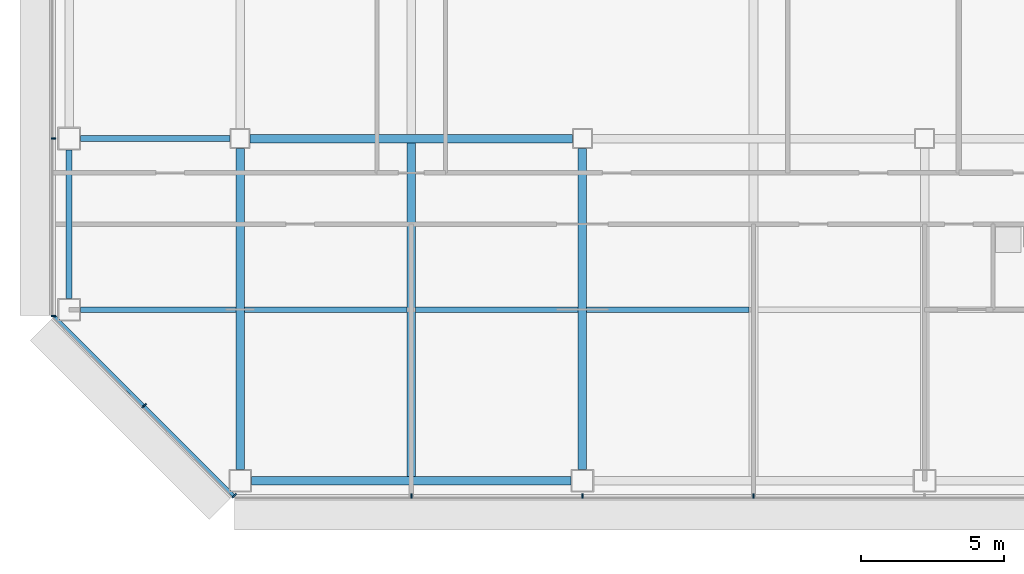
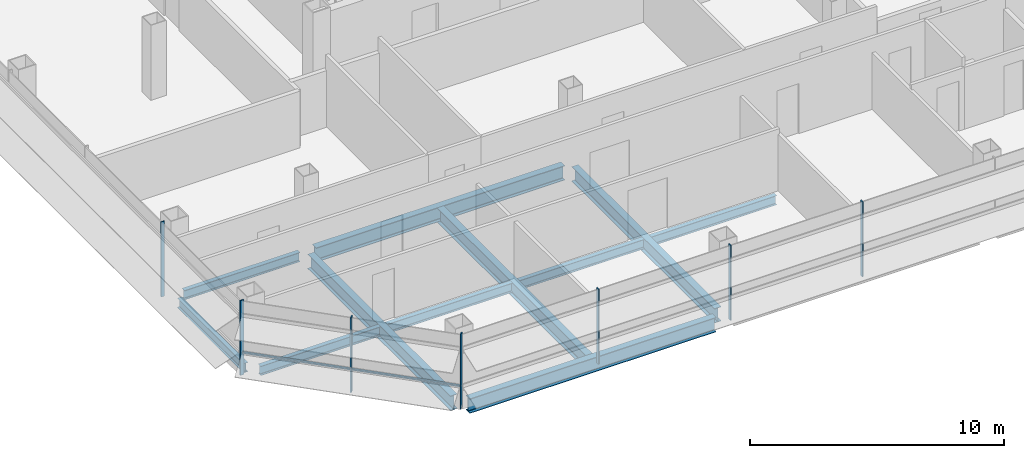
# One storey, part 2 of 25: 11 beams, 8 members, 3 elements without a shape of their own.
"""IFC4 building model written with IfcOpenShell, lengths in metres."""

from ifc_helpers import new_model, si_unit, direction, frame, origin, origin_2d, place, context, subcontext, project, spatial, rectangle, i_section, extrude, material, material_profile, profile_set, type_object, element, aggregate, save


model = new_model("IFC4")

# Units and contexts
model_context = context("Model", 3, precision=1e-05, world=origin(), true_north=direction((0.0, 1.0)))
body_context = subcontext(model_context, "Body", "Model", "MODEL_VIEW")
ifc_project = project(units=[si_unit("LENGTHUNIT", "METRE"), si_unit("AREAUNIT", "SQUARE_METRE"), si_unit("VOLUMEUNIT", "CUBIC_METRE"), si_unit("PLANEANGLEUNIT", "RADIAN"), si_unit("MASSUNIT", "GRAM", prefix="KILO")], contexts=[model_context])

# Site, building, storey
site_placement = place(None, origin())
site = spatial("IfcSite", under=ifc_project, at=site_placement, CompositionType="ELEMENT")
building_placement = place(site_placement, origin())
building = spatial("IfcBuilding", under=site, at=building_placement, Name="Sorahane Residences", CompositionType="ELEMENT")
storey_placement = place(building_placement, frame((0.0, 0.0, 130.39990234375)))
storey = spatial("IfcBuildingStorey", under=building, at=storey_placement, Name="L29", CompositionType="ELEMENT", Elevation=130.39990234375)

# Curtain wall, members
ifc_material_1 = material(Name="Dark low-e glass and black anodised aluminium", Category="aluminium")
curtain_wall_type_1 = type_object("IfcCurtainWallType", Name="Curtain wall CW-1 Typical unitised wall", PredefinedType="NOTDEFINED", material=ifc_material_1)
curtain_wall_1_placement = place(storey_placement, origin())
curtain_wall_1 = element("IfcCurtainWall", 1, at=curtain_wall_1_placement, inside=storey, type_object=curtain_wall_type_1, Name="CW-1 curtain wall L29 S1", PredefinedType="NOTDEFINED")
ifc_material_2 = material(Name="Black anodised aluminium", Category="aluminium")
ifc_material_profile_1 = material_profile(ifc_material_2, rectangle(XDim=0.159912109375, YDim=0.050048828125, at=origin_2d()), Name="Curtain wall mullion CW-1 black anodised aluminium 50x160")
ifc_profile_set_1 = profile_set([ifc_material_profile_1], Name="Black anodised aluminium")
member_type_1 = type_object("IfcMemberType", Name="Curtain wall mullion CW-1 black anodised aluminium 50x160", PredefinedType="MULLION", material=ifc_profile_set_1)
member_1_placement = place(storey_placement, frame((6.0, -0.5400390625, -0.179931640625), z_axis=(0.0, 0.0, 1.0), x_axis=(0.0, -1.0, 0.0)))
member_1 = element("IfcMember", 2, at=member_1_placement, type_object=member_type_1, Name="CW-1 mullion L29 S1.2", PredefinedType="MULLION", context=body_context, shape_type="SweptSolid", body=[
    extrude(rectangle(XDim=0.159912109375, YDim=0.050048828125, at=origin_2d()), origin(), (0.0, 0.0, 1.0), 3.60009765625),
])
member_2_placement = place(storey_placement, frame((12.0, -0.5400390625, -0.179931640625), z_axis=(0.0, 0.0, 1.0), x_axis=(0.0, -1.0, 0.0)))
member_2 = element("IfcMember", 3, at=member_2_placement, type_object=member_type_1, Name="CW-1 mullion L29 S1.3", PredefinedType="MULLION", context=body_context, shape_type="SweptSolid", body=[
    extrude(rectangle(XDim=0.159912109375, YDim=0.050048828125, at=origin_2d()), origin(), (0.0, 0.0, 1.0), 3.60009765625),
])
member_3_placement = place(storey_placement, frame((18.0, -0.5400390625, -0.179931640625), z_axis=(0.0, 0.0, 1.0), x_axis=(0.0, -1.0, 0.0)))
member_3 = element("IfcMember", 4, at=member_3_placement, type_object=member_type_1, Name="CW-1 mullion L29 S1.4", PredefinedType="MULLION", context=body_context, shape_type="SweptSolid", body=[
    extrude(rectangle(XDim=0.159912109375, YDim=0.050048828125, at=origin_2d()), origin(), (0.0, 0.0, 1.0), 3.60009765625),
])
aggregate(curtain_wall_1, [member_1, member_2, member_3])

curtain_wall_2_placement = place(storey_placement, origin())
curtain_wall_2 = element("IfcCurtainWall", 5, at=curtain_wall_2_placement, inside=storey, type_object=curtain_wall_type_1, Name="CW-1 curtain wall L29 W1", PredefinedType="NOTDEFINED")
member_4_placement = place(storey_placement, frame((-6.5400390625, 12.0, -0.179931640625), z_axis=(0.0, 0.0, 1.0), x_axis=(-1.0, 0.0, 0.0)))
member_4 = element("IfcMember", 6, at=member_4_placement, type_object=member_type_1, Name="CW-1 mullion L29 W1.6", PredefinedType="MULLION", context=body_context, shape_type="SweptSolid", body=[
    extrude(rectangle(XDim=0.159912109375, YDim=0.050048828125, at=origin_2d()), origin(), (0.0, 0.0, 1.0), 3.60009765625),
])
member_5_placement = place(storey_placement, frame((-6.5400390625, 5.7763671875, -0.179931640625), z_axis=(0.0, 0.0, 1.0), x_axis=(-1.0, 0.0, 0.0)))
member_5 = element("IfcMember", 7, at=member_5_placement, type_object=member_type_1, Name="CW-1 mullion L29 W1.7", PredefinedType="MULLION", context=body_context, shape_type="SweptSolid", body=[
    extrude(rectangle(XDim=0.159912109375, YDim=0.050048828125, at=origin_2d()), origin(), (0.0, 0.0, 1.0), 3.60009765625),
])
aggregate(curtain_wall_2, [member_4, member_5])

ifc_material_3 = material(Name="Dark low-e glass and black anodised aluminium", Category="aluminium")
curtain_wall_type_2 = type_object("IfcCurtainWallType", Name="Curtain wall CW-2 Chamfer unitised wall", PredefinedType="NOTDEFINED", material=ifc_material_3)
curtain_wall_3_placement = place(storey_placement, origin())
curtain_wall_3 = element("IfcCurtainWall", 8, at=curtain_wall_3_placement, inside=storey, type_object=curtain_wall_type_2, Name="CW-2 curtain wall L29 SW1", PredefinedType="NOTDEFINED")
ifc_material_4 = material(Name="Black anodised aluminium", Category="aluminium")
ifc_material_profile_2 = material_profile(ifc_material_4, rectangle(XDim=0.199951171875, YDim=0.050048828125, at=origin_2d()), Name="Curtain wall mullion CW-2 black anodised aluminium 50x200")
ifc_profile_set_2 = profile_set([ifc_material_profile_2], Name="Black anodised aluminium")
member_type_2 = type_object("IfcMemberType", Name="Curtain wall mullion CW-2 black anodised aluminium 50x200", PredefinedType="MULLION", material=ifc_profile_set_2)
member_6_placement = place(storey_placement, frame((-3.36767578125, 2.63232421875, -0.179931640625), z_axis=(0.0, 0.0, 1.0), x_axis=(-0.707106781187, -0.707106781187, 0.0)))
member_6 = element("IfcMember", 9, at=member_6_placement, type_object=member_type_2, Name="CW-2 mullion L29 SW1.2", PredefinedType="MULLION", context=body_context, shape_type="SweptSolid", body=[
    extrude(rectangle(XDim=0.199951171875, YDim=0.050048828125, at=origin_2d()), origin(), (0.0, 0.0, 1.0), 3.60009765625),
])
member_7_placement = place(storey_placement, frame((-0.209716796875, -0.525634765625, -0.179931640625), z_axis=(0.0, 0.0, 1.0), x_axis=(-0.707106781187, -0.707106781187, 0.0)))
member_7 = element("IfcMember", 10, at=member_7_placement, type_object=member_type_2, Name="CW-2 mullion L29 SW1.3", PredefinedType="MULLION", context=body_context, shape_type="SweptSolid", body=[
    extrude(rectangle(XDim=0.199951171875, YDim=0.050048828125, at=origin_2d()), origin(), (0.0, 0.0, 1.0), 3.60009765625),
])
ifc_material_5 = material(Name="Black anodised aluminium", Category="aluminium")
ifc_material_profile_3 = material_profile(ifc_material_5, rectangle(XDim=0.10009765625, YDim=0.06005859375, at=origin_2d()), Name="Curtain wall transom CW-2 black anodised aluminium 60x100")
ifc_profile_set_3 = profile_set([ifc_material_profile_3], Name="Black anodised aluminium")
member_type_3 = type_object("IfcMemberType", Name="Curtain wall transom CW-2 black anodised aluminium 60x100", PredefinedType="USERDEFINED", material=ifc_profile_set_3)
member_8_placement = place(storey_placement, frame((-6.51513671875, 5.765625, 0.900146484375), z_axis=(0.707106781187, -0.707106781187, 0.0), x_axis=(0.707106781187, 0.707106781187, 0.0)))
member_8 = element("IfcMember", 11, at=member_8_placement, type_object=member_type_3, Name="CW-2 transom L29 SW1", ObjectType="TRANSOM", PredefinedType="USERDEFINED", context=body_context, shape_type="SweptSolid", body=[
    extrude(rectangle(XDim=0.10009765625, YDim=0.06005859375, at=origin_2d()), origin(), (0.0, 0.0, 1.0), 8.88232421875),
])
aggregate(curtain_wall_3, [member_6, member_7, member_8])

# Beams
ifc_material_6 = material(Name="Steel Q355B", Category="steel")
ifc_material_profile_4 = material_profile(ifc_material_6, i_section(OverallWidth=0.199951171875, OverallDepth=0.449951171875, WebThickness=0.009033203125, FlangeThickness=0.013916015625, FilletRadius=0.02001953125, at=origin_2d()), Name="HN 450x200x9x14")
ifc_profile_set_4 = profile_set([ifc_material_profile_4], Name="Steel Q355B")
beam_type_1 = type_object("IfcBeamType", Name="Steel floor beam HN 450x200x9x14 Q355B", PredefinedType="BEAM", material=ifc_profile_set_4)
beam_1_placement = place(storey_placement, frame((-5.60009765625, 12.0, -0.40478515625), z_axis=(1.0, 0.0, 0.0), x_axis=(0.0, 1.0, 0.0)))
element("IfcBeam", 12, at=beam_1_placement, inside=storey, type_object=beam_type_1, Name="Beam L29 005", PredefinedType="BEAM", context=body_context, shape_type="SweptSolid", body=[
    extrude(i_section(OverallWidth=0.199951171875, OverallDepth=0.449951171875, WebThickness=0.009033203125, FlangeThickness=0.013916015625, FilletRadius=0.02001953125, at=origin_2d()), origin(), (0.0, 0.0, 1.0), 5.25),
])
beam_2_placement = place(storey_placement, frame((-6.0, 6.39990234375, -0.40478515625), z_axis=(0.0, 1.0, 0.0), x_axis=(-1.0, 0.0, 0.0)))
element("IfcBeam", 13, at=beam_2_placement, inside=storey, type_object=beam_type_1, Name="Beam L29 020", PredefinedType="BEAM", context=body_context, shape_type="SweptSolid", body=[
    extrude(i_section(OverallWidth=0.199951171875, OverallDepth=0.449951171875, WebThickness=0.009033203125, FlangeThickness=0.013916015625, FilletRadius=0.02001953125, at=origin_2d()), origin(), (0.0, 0.0, 1.0), 5.2001953125),
])
beam_3_placement = place(storey_placement, frame((-5.60009765625, 6.0, -0.40478515625), z_axis=(1.0, 0.0, 0.0), x_axis=(0.0, 1.0, 0.0)))
element("IfcBeam", 14, at=beam_3_placement, inside=storey, type_object=beam_type_1, Name="Beam L29 068", PredefinedType="BEAM", context=body_context, shape_type="SweptSolid", body=[
    extrude(i_section(OverallWidth=0.199951171875, OverallDepth=0.449951171875, WebThickness=0.009033203125, FlangeThickness=0.013916015625, FilletRadius=0.02001953125, at=origin_2d()), origin(), (0.0, 0.0, 1.0), 5.4501953125),
])
for number, where, z_axis, x_axis, name in (
    (15, (0.14990234375, 6.0, -0.40478515625), (1.0, 0.0, 0.0), (0.0, 1.0, 0.0), "Beam L29 069"),
    (16, (6.14990234375, 6.0, -0.40478515625), (1.0, 0.0, 0.0), (0.0, 1.0, 0.0), "Beam L29 070"),
    (17, (12.14990234375, 6.0, -0.40478515625), (1.0, 0.0, 0.0), (0.0, 1.0, 0.0), "Beam L29 071"),
):
    element("IfcBeam", number, at=place(storey_placement, frame(where, z_axis=z_axis, x_axis=x_axis)), inside=storey, type_object=beam_type_1, Name=name, PredefinedType="BEAM", context=body_context, shape_type="SweptSolid", body=[
        extrude(i_section(OverallWidth=0.199951171875, OverallDepth=0.449951171875, WebThickness=0.009033203125, FlangeThickness=0.013916015625, FilletRadius=0.02001953125, at=origin_2d()), origin(), (0.0, 0.0, 1.0), 5.7001953125),
    ])
ifc_material_7 = material(Name="Steel Q355B", Category="steel")
ifc_material_profile_5 = material_profile(ifc_material_7, i_section(OverallWidth=0.300048828125, OverallDepth=0.699951171875, WebThickness=0.012939453125, FlangeThickness=0.02392578125, FilletRadius=0.028076171875, at=origin_2d()), Name="HN 700x300x13x24")
ifc_profile_set_5 = profile_set([ifc_material_profile_5], Name="Steel Q355B")
beam_type_2 = type_object("IfcBeamType", Name="Steel floor beam HN 700x300x13x24 Q355B", PredefinedType="BEAM", material=ifc_profile_set_5)
beam_4_placement = place(storey_placement, frame((0.39990234375, 0.0, -0.52978515625), z_axis=(1.0, 0.0, 0.0), x_axis=(0.0, 1.0, 0.0)))
element("IfcBeam", 18, at=beam_4_placement, inside=storey, type_object=beam_type_2, Name="Beam L29 000", PredefinedType="BEAM", context=body_context, shape_type="SweptSolid", body=[
    extrude(i_section(OverallWidth=0.300048828125, OverallDepth=0.699951171875, WebThickness=0.012939453125, FlangeThickness=0.02392578125, FilletRadius=0.028076171875, at=origin_2d()), origin(), (0.0, 0.0, 1.0), 11.2001953125),
])
beam_5_placement = place(storey_placement, frame((0.35009765625, 12.0, -0.52978515625), z_axis=(1.0, 0.0, 0.0), x_axis=(0.0, 1.0, 0.0)))
element("IfcBeam", 19, at=beam_5_placement, inside=storey, type_object=beam_type_2, Name="Beam L29 006", PredefinedType="BEAM", context=body_context, shape_type="SweptSolid", body=[
    extrude(i_section(OverallWidth=0.300048828125, OverallDepth=0.699951171875, WebThickness=0.012939453125, FlangeThickness=0.02392578125, FilletRadius=0.028076171875, at=origin_2d()), origin(), (0.0, 0.0, 1.0), 11.2998046875),
])
beam_6_placement = place(storey_placement, frame((0.0, 0.39990234375, -0.52978515625), z_axis=(0.0, 1.0, 0.0), x_axis=(-1.0, 0.0, 0.0)))
element("IfcBeam", 20, at=beam_6_placement, inside=storey, type_object=beam_type_2, Name="Beam L29 024", PredefinedType="BEAM", context=body_context, shape_type="SweptSolid", body=[
    extrude(i_section(OverallWidth=0.300048828125, OverallDepth=0.699951171875, WebThickness=0.012939453125, FlangeThickness=0.02392578125, FilletRadius=0.028076171875, at=origin_2d()), origin(), (0.0, 0.0, 1.0), 11.25),
])
beam_7_placement = place(storey_placement, frame((6.0, 0.14990234375, -0.52978515625), z_axis=(0.0, 1.0, 0.0), x_axis=(-1.0, 0.0, 0.0)))
element("IfcBeam", 21, at=beam_7_placement, inside=storey, type_object=beam_type_2, Name="Beam L29 028", PredefinedType="BEAM", context=body_context, shape_type="SweptSolid", body=[
    extrude(i_section(OverallWidth=0.300048828125, OverallDepth=0.699951171875, WebThickness=0.012939453125, FlangeThickness=0.02392578125, FilletRadius=0.028076171875, at=origin_2d()), origin(), (0.0, 0.0, 1.0), 11.7001953125),
])
beam_8_placement = place(storey_placement, frame((12.0, 0.39990234375, -0.52978515625), z_axis=(0.0, 1.0, 0.0), x_axis=(-1.0, 0.0, 0.0)))
element("IfcBeam", 22, at=beam_8_placement, inside=storey, type_object=beam_type_2, Name="Beam L29 034", PredefinedType="BEAM", context=body_context, shape_type="SweptSolid", body=[
    extrude(i_section(OverallWidth=0.300048828125, OverallDepth=0.699951171875, WebThickness=0.012939453125, FlangeThickness=0.02392578125, FilletRadius=0.028076171875, at=origin_2d()), origin(), (0.0, 0.0, 1.0), 11.25),
])

save(model, "model.ifc")
